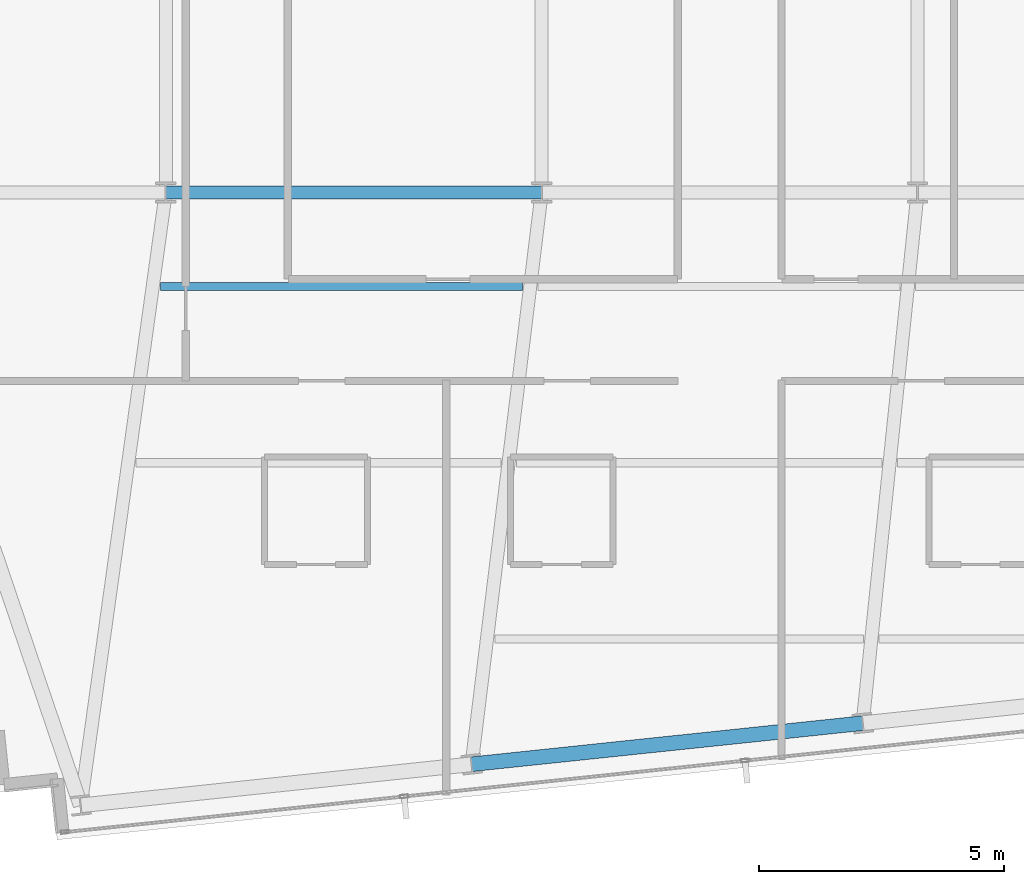
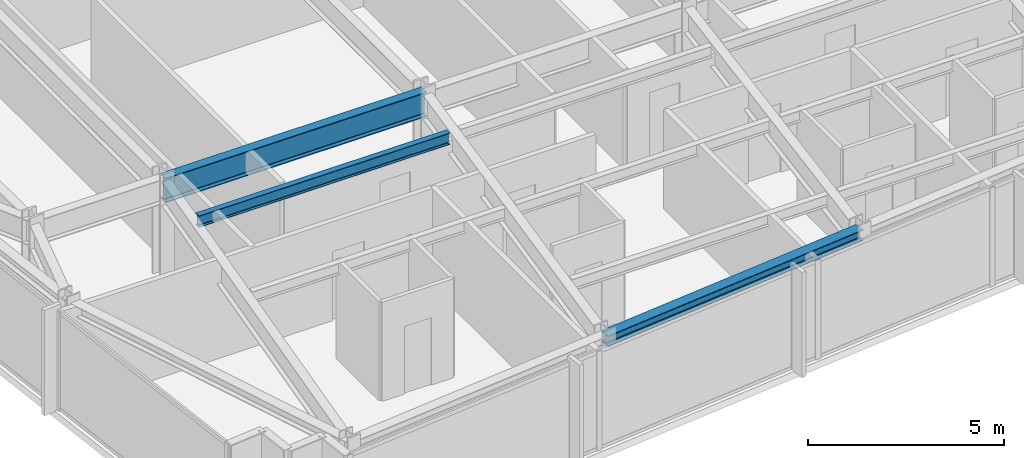
# One storey, part 6 of 33: 3 beams.
"""IFC4 building model written with IfcOpenShell, lengths in metres."""

import ifcopenshell
import ifcopenshell.guid

model = None  # the IFC model being written
_history = None  # IfcOwnerHistory: only IFC2X3 demands one
_inside = {}  # id of a spatial element -> (the spatial element, [elements in it])
_under = {}  # id of a project, library or spatial element -> (it, [spatial elements below it])
_declared = {}  # id of a project -> (the project, [libraries it declares])
_typed = {}  # id of a type object -> (the type object, [elements of that type])
_made_of = {}  # id of a material, layer set ... -> (it, [elements and type objects made of it])


def new_model(schema):
    """Start an empty IFC model of exactly this schema.

    Asked for "IFC4X3", IfcOpenShell would pick the latest addendum, in which some entities
    have other attributes; the version numbers below select the first issue.
    IFC2X3 requires an IfcOwnerHistory on every rooted entity: one is made here for all.
    """
    global model, _history
    if schema == "IFC4X3":
        model = ifcopenshell.file(schema_version=(4, 3, 0, 0))
    else:
        model = ifcopenshell.file(schema=schema)
    _inside.clear()
    _under.clear()
    _declared.clear()
    _typed.clear()
    _made_of.clear()
    _history = None
    if model.schema == "IFC2X3":
        org = make("IfcOrganization", Name="unknown")
        user = make(
            "IfcPersonAndOrganization",
            ThePerson=make("IfcPerson", FamilyName="unknown"),
            TheOrganization=org,
        )
        app = make(
            "IfcApplication",
            ApplicationDeveloper=org,
            Version="unknown",
            ApplicationFullName="unknown",
            ApplicationIdentifier="unknown",
        )
        _history = make(
            "IfcOwnerHistory",
            OwningUser=user,
            OwningApplication=app,
            ChangeAction="ADDED",
            CreationDate=0,
        )
    return model


def make(cls, **values):
    """One entity of the class cls with the attributes given. An attribute that is None is left unset."""
    return model.create_entity(
        cls, **{name: value for name, value in values.items() if value is not None}
    )


def rooted(cls, **values):
    """An entity with a GlobalId (a new one), such as an element, a storey or a relation."""
    return make(cls, GlobalId=ifcopenshell.guid.new(), OwnerHistory=_history, **values)


def si_unit(unit_type, name, prefix=None):
    """IfcSIUnit, for example si_unit("LENGTHUNIT", "METRE", prefix="MILLI")."""
    return make("IfcSIUnit", UnitType=unit_type, Prefix=prefix, Name=name)


def assignment(units):
    """IfcUnitAssignment: the units of a project."""
    return None if units is None else make("IfcUnitAssignment", Units=units)


def point(xyz):
    """IfcCartesianPoint."""
    return None if xyz is None else make("IfcCartesianPoint", Coordinates=xyz)


def direction(xyz):
    """IfcDirection."""
    return None if xyz is None else make("IfcDirection", DirectionRatios=xyz)


def frame(location, z_axis=None, x_axis=None):
    """IfcAxis2Placement3D, a coordinate frame: its origin and axes. An axis left out is left unset."""
    return make(
        "IfcAxis2Placement3D",
        Location=point(location),
        Axis=direction(z_axis),
        RefDirection=direction(x_axis),
    )


def frame_2d(location, x_axis=None):
    """IfcAxis2Placement2D, a coordinate frame in the plane: its origin and x axis."""
    return make(
        "IfcAxis2Placement2D", Location=point(location), RefDirection=direction(x_axis)
    )


def origin():
    """The frame at (0, 0, 0) with its axes left unset."""
    return frame((0.0, 0.0, 0.0))


def origin_2d():
    """The frame at (0, 0) in the plane with its x axis left unset."""
    return frame_2d((0.0, 0.0))


def place(relative_to, where):
    """IfcLocalPlacement: puts the frame where relative to a parent placement (None: the world)."""
    return make(
        "IfcLocalPlacement", PlacementRelTo=relative_to, RelativePlacement=where
    )


def context(
    kind, dimensions, precision=None, world=None, true_north=None, identifier=None
):
    """IfcGeometricRepresentationContext, for example the 3D "Model" context."""
    return make(
        "IfcGeometricRepresentationContext",
        ContextIdentifier=identifier,
        ContextType=kind,
        CoordinateSpaceDimension=dimensions,
        Precision=precision,
        WorldCoordinateSystem=world,
        TrueNorth=true_north,
    )


def subcontext(parent, identifier, kind, view, scale=None):
    """IfcGeometricRepresentationSubContext, for example "Body" below "Model"."""
    return make(
        "IfcGeometricRepresentationSubContext",
        ContextIdentifier=identifier,
        ContextType=kind,
        ParentContext=parent,
        TargetScale=scale,
        TargetView=view,
    )


def project(units=None, contexts=None):
    """IfcProject with its units and contexts."""
    return rooted(
        "IfcProject",
        Name="project",
        RepresentationContexts=contexts,
        UnitsInContext=assignment(units),
    )


def spatial(cls, under=None, at=None, **own):
    """A site, building, storey or space (cls), placed at a placement, below another one or the project."""
    s = rooted(cls, ObjectPlacement=at, **own)
    if under is not None:
        _under.setdefault(under.id(), (under, []))[1].append(s)
    return s


def profile(cls, at=None, kind="AREA", **sizes):
    """A parametric profile (cls). Its sizes go by their IFC names, for example OverallWidth=200.0."""
    return make(cls, ProfileType=kind, Position=at, **sizes)


def i_section(**sizes):
    """IfcIShapeProfileDef."""
    return profile("IfcIShapeProfileDef", **sizes)


def extrude(swept, where, along, depth):
    """IfcExtrudedAreaSolid: the profile swept, set in the frame where, extruded along a direction by depth."""
    return make(
        "IfcExtrudedAreaSolid",
        SweptArea=swept,
        Position=where,
        ExtrudedDirection=direction(along),
        Depth=depth,
    )


def shape(context_of_items, identifier, shape_type, items):
    """IfcShapeRepresentation: the items that make up one representation, for example the "Body"."""
    return make(
        "IfcShapeRepresentation",
        ContextOfItems=context_of_items,
        RepresentationIdentifier=identifier,
        RepresentationType=shape_type,
        Items=items,
    )


def material(Name=None, Category=None):
    """IfcMaterial."""
    return make("IfcMaterial", Name=Name, Category=Category)


def material_profile(
    of_material, cross_section, Name=None, Category=None, Priority=None
):
    """IfcMaterialProfile: a cross section and its material."""
    return make(
        "IfcMaterialProfile",
        Name=Name,
        Material=of_material,
        Profile=cross_section,
        Priority=Priority,
        Category=Category,
    )


def profile_set(profiles, Name=None, composite=None):
    """IfcMaterialProfileSet."""
    return make(
        "IfcMaterialProfileSet",
        Name=Name,
        MaterialProfiles=profiles,
        CompositeProfile=composite,
    )


def made_of(thing, what):
    """Note that an element or type object is made of a material, layer set ...; save() writes the relation."""
    if what is not None:
        _made_of.setdefault(what.id(), (what, []))[1].append(thing)
    return thing


def type_object(cls, material=None, **own):
    """A type object (cls), such as IfcWallType, which elements share."""
    return made_of(rooted(cls, **own), material)


def element(
    cls,
    number,
    at=None,
    inside=None,
    cuts=None,
    type_object=None,
    material=None,
    context=None,
    identifier="Body",
    shape_type=None,
    held_by="IfcProductDefinitionShape",
    body=None,
    shapes=None,
    **own,
):
    """One element of the class cls, such as IfcWall. Its Tag is "e" and its number.

    at: its placement. inside: the storey or other place that contains it. cuts: it is an
    opening in that element (IfcRelVoidsElement). A single representation is given by context,
    identifier, shape_type and body (its items); several are given by shapes. held_by: the class
    of the entity that holds the representations. save() writes the other relations.
    """
    e = rooted(cls, Tag="e%d" % number, ObjectPlacement=at, **own)
    if body is not None:
        shapes = [shape(context, identifier, shape_type, body)]
    if shapes is not None:
        e.Representation = make(held_by, Representations=shapes)
    if inside is not None:
        _inside.setdefault(inside.id(), (inside, []))[1].append(e)
    if cuts is not None:
        rooted(
            "IfcRelVoidsElement", RelatingBuildingElement=cuts, RelatedOpeningElement=e
        )
    if type_object is not None:
        _typed.setdefault(type_object.id(), (type_object, []))[1].append(e)
    return made_of(e, material)


def aggregate(whole, parts):
    """IfcRelAggregates: a whole, such as a stair, and the parts it consists of."""
    return rooted("IfcRelAggregates", RelatingObject=whole, RelatedObjects=parts)


def save(model, path):
    """Write the relations noted so far, then the file.

    IfcRelAggregates (storeys below a building ...), IfcRelContainedInSpatialStructure (elements
    in a storey), IfcRelDefinesByType, IfcRelAssociatesMaterial and IfcRelDeclares: one each for
    every whole, place, type object, material and project.
    """
    for whole, parts in _under.values():
        aggregate(whole, parts)
    for where, things in _inside.values():
        rooted(
            "IfcRelContainedInSpatialStructure",
            RelatedElements=things,
            RelatingStructure=where,
        )
    for kind, things in _typed.values():
        rooted("IfcRelDefinesByType", RelatedObjects=things, RelatingType=kind)
    for what, things in _made_of.values():
        rooted("IfcRelAssociatesMaterial", RelatedObjects=things, RelatingMaterial=what)
    for by, libraries in _declared.values():
        rooted("IfcRelDeclares", RelatingContext=by, RelatedDefinitions=libraries)
    model.write(path)


model = new_model("IFC4")

# Units and contexts
model_context = context("Model", 3, precision=1e-05, world=origin(), true_north=direction((0.0, 1.0)))
body_context = subcontext(model_context, "Body", "Model", "MODEL_VIEW")
ifc_project = project(units=[si_unit("LENGTHUNIT", "METRE"), si_unit("AREAUNIT", "SQUARE_METRE"), si_unit("VOLUMEUNIT", "CUBIC_METRE"), si_unit("PLANEANGLEUNIT", "RADIAN"), si_unit("MASSUNIT", "GRAM", prefix="KILO")], contexts=[model_context])

# Site, building, storey
site_placement = place(None, origin())
site = spatial("IfcSite", under=ifc_project, at=site_placement, CompositionType="ELEMENT")
building_placement = place(site_placement, origin())
building = spatial("IfcBuilding", under=site, at=building_placement, Name="Yelkora Congress Tower", CompositionType="ELEMENT")
storey_placement = place(building_placement, frame((0.0, 0.0, 227.60009765625)))
storey = spatial("IfcBuildingStorey", under=building, at=storey_placement, Name="L63", CompositionType="ELEMENT", Elevation=227.60009765625)

# Beams
ifc_material = material(Name="Steel S355J2", Category="steel")
ifc_material_profile_1 = material_profile(ifc_material, i_section(OverallWidth=0.26708984375, OverallDepth=0.761962890625, WebThickness=0.014404296875, FlangeThickness=0.021484375, FilletRadius=0.01708984375, at=origin_2d()), Name="IPE 750x173")
ifc_profile_set_1 = profile_set([ifc_material_profile_1], Name="Steel S355J2")
beam_type_1 = type_object("IfcBeamType", Name="BM-GIRD-IPE750", PredefinedType="BEAM", material=ifc_profile_set_1)
beam_1_placement = place(storey_placement, frame((23.0400390625, 25.199951171875, 2.698974609375), z_axis=(1.0, 0.0, 0.0), x_axis=(0.0, 1.0, 0.0)))
element("IfcBeam", 1, at=beam_1_placement, inside=storey, type_object=beam_type_1, Name="L63 Spine Grid D Girder 2", PredefinedType="BEAM", context=body_context, shape_type="SweptSolid", body=[
    extrude(i_section(OverallWidth=0.26708984375, OverallDepth=0.761962890625, WebThickness=0.014404296875, FlangeThickness=0.021484375, FilletRadius=0.01708984375, at=origin_2d()), origin(), (0.0, 0.0, 1.0), 7.679931640625),
])
ifc_material_profile_2 = material_profile(ifc_material, i_section(OverallWidth=0.169921875, OverallDepth=0.360107421875, WebThickness=0.008056640625, FlangeThickness=0.0126953125, FilletRadius=0.01806640625, at=origin_2d()), Name="IPE 360")
ifc_profile_set_2 = profile_set([ifc_material_profile_2], Name="Steel S355J2")
beam_type_2 = type_object("IfcBeamType", Name="BM-JOIST-IPE360", PredefinedType="JOIST", material=ifc_profile_set_2)
beam_2_placement = place(storey_placement, frame((22.932861328125, 23.278564453125, 2.89990234375), z_axis=(1.0, 0.0, 0.0), x_axis=(0.0, 1.0, 0.0)))
element("IfcBeam", 2, at=beam_2_placement, inside=storey, type_object=beam_type_2, Name="L63 Composite Floor Joist 9", PredefinedType="JOIST", context=body_context, shape_type="SweptSolid", body=[
    extrude(i_section(OverallWidth=0.169921875, OverallDepth=0.360107421875, WebThickness=0.008056640625, FlangeThickness=0.0126953125, FilletRadius=0.01806640625, at=origin_2d()), origin(), (0.0, 0.0, 1.0), 7.3916015625),
])
ifc_material_profile_3 = material_profile(ifc_material, i_section(OverallWidth=0.300048828125, OverallDepth=0.340087890625, WebThickness=0.011962890625, FlangeThickness=0.021484375, FilletRadius=0.027099609375, at=origin_2d()), Name="HEB 340")
ifc_profile_set_3 = profile_set([ifc_material_profile_3], Name="Steel S355J2")
beam_type_3 = type_object("IfcBeamType", Name="BM-SPAN-HEB340", PredefinedType="SPANDREL", material=ifc_profile_set_3)
beam_3_placement = place(storey_placement, frame((29.288330078125, 13.518310546875, 2.909912109375), z_axis=(0.994523256947, 0.104515507904, 0.0), x_axis=(-0.104515507904, 0.994523256947, 0.0)))
element("IfcBeam", 3, at=beam_3_placement, inside=storey, type_object=beam_type_3, Name="L63 Perimeter Beam 4", PredefinedType="SPANDREL", context=body_context, shape_type="SweptSolid", body=[
    extrude(i_section(OverallWidth=0.300048828125, OverallDepth=0.340087890625, WebThickness=0.011962890625, FlangeThickness=0.021484375, FilletRadius=0.027099609375, at=origin_2d()), origin(), (0.0, 0.0, 1.0), 8.033203125),
])

save(model, "model.ifc")
